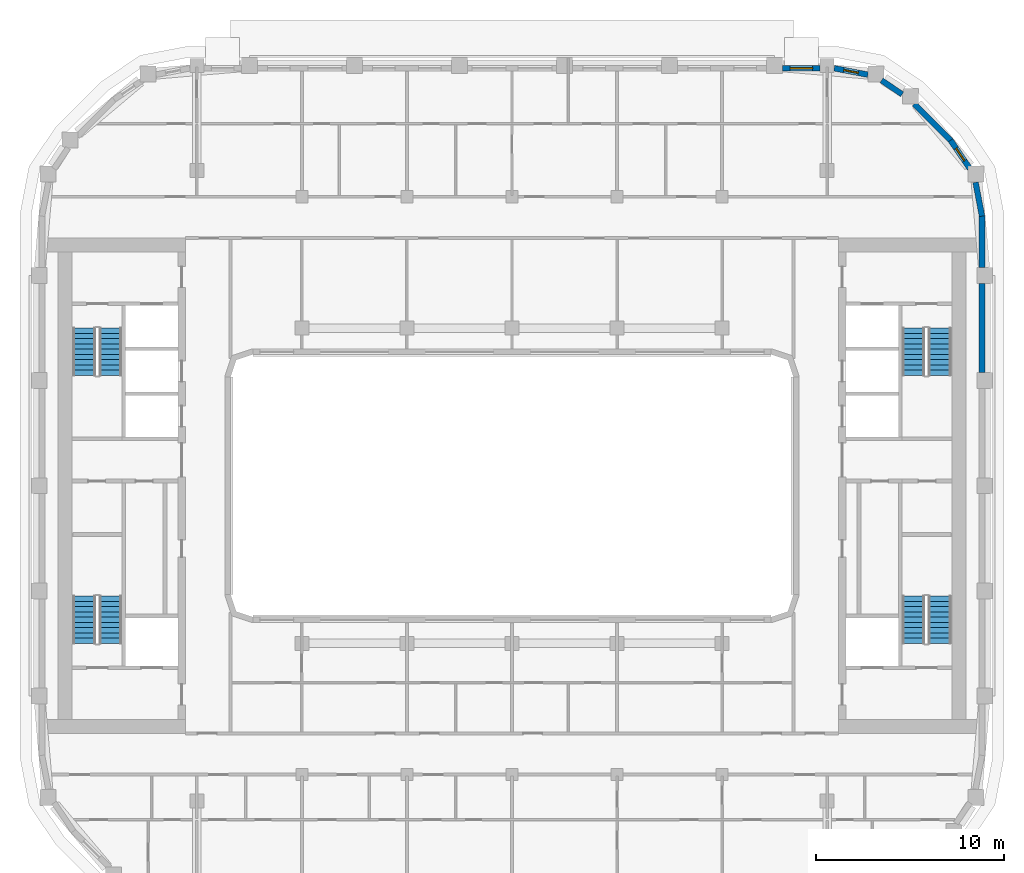
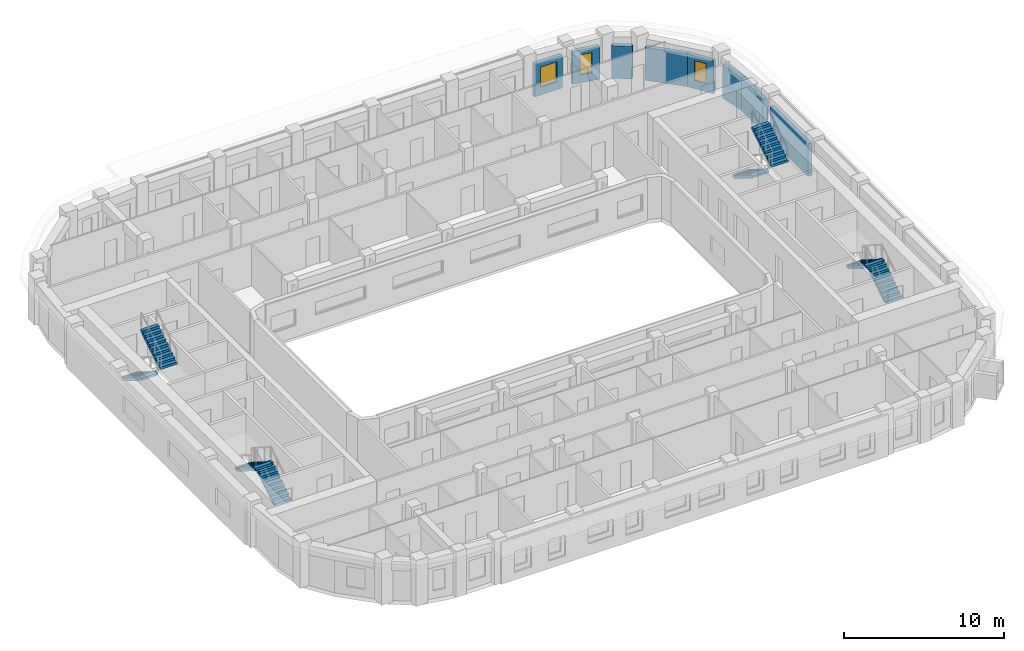
# One storey, part 9 of 21: 8 stair flights, 8 walls, 3 windows, 3 openings, 4 elements without a shape of their own.
"""IFC4 building model written with IfcOpenShell, lengths in metres."""

from ifc_helpers import new_model, si_unit, direction, frame, frame_2d, origin, place, context, subcontext, project, spatial, polyline, rectangle, outline, extrude, material, layer, layer_set, type_object, element, fill, aggregate, save


model = new_model("IFC4")

# Units and contexts
model_context = context("Model", 3, precision=1e-05, world=origin(), true_north=direction((0.0, 1.0)))
body_context = subcontext(model_context, "Body", "Model", "MODEL_VIEW")
ifc_project = project(units=[si_unit("LENGTHUNIT", "METRE"), si_unit("AREAUNIT", "SQUARE_METRE"), si_unit("VOLUMEUNIT", "CUBIC_METRE"), si_unit("PLANEANGLEUNIT", "RADIAN"), si_unit("MASSUNIT", "GRAM", prefix="KILO")], contexts=[model_context])

# Site, building, storey
site_placement = place(None, origin())
site = spatial("IfcSite", under=ifc_project, at=site_placement, CompositionType="ELEMENT")
building_placement = place(site_placement, origin())
building = spatial("IfcBuilding", under=site, at=building_placement, Name="Kiln Ring Residences", CompositionType="ELEMENT")
storey_placement = place(building_placement, frame((0.0, 0.0, 223.89990234375)))
storey = spatial("IfcBuildingStorey", under=building, at=storey_placement, Name="L58", CompositionType="ELEMENT", Elevation=223.89990234375)

# Walls
ifc_material_1 = material(Name="Brick masonry, dark clay brick", Category="masonry")
ifc_layer = layer(ifc_material_1, 0.300048828125)
ifc_layer_set = layer_set([ifc_layer], Name="EW-300 BRICK WALL")
wall_type = type_object("IfcWallType", Name="EW-300 BRICK WALL", PredefinedType="SOLIDWALL", material=ifc_layer_set)
wall_1_placement = place(storey_placement, frame((25.050048828125, 6.02490234375, 0.0), z_axis=(0.0, 0.0, 1.0), x_axis=(0.0, 1.0, 0.0)))
element("IfcWall", 1, at=wall_1_placement, inside=storey, type_object=wall_type, Name="Facade wall L58 20", PredefinedType="SOLIDWALL", context=body_context, shape_type="SweptSolid", body=[
    extrude(rectangle(XDim=4.75, YDim=0.300048828125, at=frame_2d((2.375, 0.0))), origin(), (0.0, 0.0, 1.0), 2.5),
])
wall_2_placement = place(storey_placement, frame((25.050048828125, 11.625, 0.0), z_axis=(0.0, 0.0, 1.0), x_axis=(0.0, 1.0, 0.0)))
element("IfcWall", 2, at=wall_2_placement, inside=storey, type_object=wall_type, Name="Facade wall L58 21", PredefinedType="SOLIDWALL", context=body_context, shape_type="SweptSolid", body=[
    extrude(rectangle(XDim=2.77490234375, YDim=0.300048828125, at=frame_2d((1.387451171875, 0.0))), origin(), (0.0, 0.0, 1.0), 2.5),
])
wall_3_placement = place(storey_placement, frame((25.052734375, 14.371826171875, 0.0), z_axis=(0.0, 0.0, 1.0), x_axis=(-0.187442908742, 0.982275499014, 0.0)))
element("IfcWall", 3, at=wall_3_placement, inside=storey, type_object=wall_type, Name="Facade wall L58 22", PredefinedType="SOLIDWALL", context=body_context, shape_type="SweptSolid", body=[
    extrude(rectangle(XDim=1.831298828125, YDim=0.300048828125, at=frame_2d((0.91552734375, 0.0))), origin(), (0.0, 0.0, 1.0), 2.5),
])

# Wall, opening, window
wall_4_placement = place(storey_placement, frame((24.408203125, 16.898193359375, 0.0), z_axis=(0.0, 0.0, 1.0), x_axis=(-0.562062033417, 0.827095079535, 0.0)))
wall_4 = element("IfcWall", 4, at=wall_4_placement, inside=storey, type_object=wall_type, Name="Facade wall L58 23", PredefinedType="SOLIDWALL", context=body_context, shape_type="SweptSolid", body=[
    extrude(rectangle(XDim=1.831298828125, YDim=0.300048828125, at=frame_2d((0.91552734375, 0.0))), origin(), (0.0, 0.0, 1.0), 2.5),
])
opening_1_placement = place(wall_4_placement, frame((0.515625, 0.0, 0.60009765625)))
opening_1 = element("IfcOpeningElement", 5, at=opening_1_placement, cuts=wall_4, Name="Opening W5", PredefinedType="OPENING", context=body_context, shape_type="SweptSolid", body=[
    extrude(rectangle(XDim=0.800048828125, YDim=1.550048828125, at=frame_2d((0.39990234375, 0.77490234375))), frame((0.0, 0.159912109375, 0.0), z_axis=(0.0, -1.0, 0.0), x_axis=(1.0, 0.0, 0.0)), (0.0, 0.0, 1.0), 0.320068359375),
])
ifc_material_2 = material(Name="Aluminium frame with double glazing", Category="aluminium")
window_type_1 = type_object("IfcWindowType", Name="WINDOW 800 x 1550", PartitioningType="SINGLE_PANEL", PredefinedType="WINDOW", material=ifc_material_2)
window_1_placement = place(opening_1_placement, origin())
window_1 = element("IfcWindow", 6, at=window_1_placement, inside=storey, type_object=window_type_1, Name="Window L58 18", OverallHeight=1.550048828125, OverallWidth=0.800048828125, PartitioningType="SINGLE_PANEL", PredefinedType="WINDOW", context=body_context, shape_type="SweptSolid", body=[
    extrude(rectangle(XDim=0.800048828125, YDim=1.550048828125, at=frame_2d((0.39990234375, 0.77490234375))), frame((0.0, 0.030029296875, 0.0), z_axis=(0.0, -1.0, 0.0), x_axis=(1.0, 0.0, 0.0)), (0.0, 0.0, 1.0), 0.06005859375),
])
fill(opening_1, window_1)

# Walls
wall_5_placement = place(storey_placement, frame((23.39697265625, 18.390869140625, 0.0), z_axis=(0.0, 0.0, 1.0), x_axis=(-0.707106781187, 0.707106781187, 0.0)))
element("IfcWall", 7, at=wall_5_placement, inside=storey, type_object=wall_type, Name="Facade wall L58 24", PredefinedType="SOLIDWALL", context=body_context, shape_type="SweptSolid", body=[
    extrude(rectangle(XDim=2.775146484375, YDim=0.300048828125, at=frame_2d((1.3876953125, 0.0))), origin(), (0.0, 0.0, 1.0), 2.5),
])
wall_6_placement = place(storey_placement, frame((20.7958984375, 20.862060546875, 0.0), z_axis=(0.0, 0.0, 1.0), x_axis=(-0.827035970432, 0.562149004813, 0.0)))
element("IfcWall", 8, at=wall_6_placement, inside=storey, type_object=wall_type, Name="Facade wall L58 25", PredefinedType="SOLIDWALL", context=body_context, shape_type="SweptSolid", body=[
    extrude(rectangle(XDim=1.3271484375, YDim=0.300048828125, at=frame_2d((0.66357421875, 0.0))), origin(), (0.0, 0.0, 1.0), 2.5),
])

# Wall, opening, window
wall_7_placement = place(storey_placement, frame((18.970703125, 21.90966796875, 0.0), z_axis=(0.0, 0.0, 1.0), x_axis=(-0.982300037503, 0.187314271538, 0.0)))
wall_7 = element("IfcWall", 9, at=wall_7_placement, inside=storey, type_object=wall_type, Name="Facade wall L58 26", PredefinedType="SOLIDWALL", context=body_context, shape_type="SweptSolid", body=[
    extrude(rectangle(XDim=1.831298828125, YDim=0.300048828125, at=frame_2d((0.91552734375, 0.0))), origin(), (0.0, 0.0, 1.0), 2.5),
])
opening_2_placement = place(wall_7_placement, frame((0.515625, 0.0, 0.60009765625)))
opening_2 = element("IfcOpeningElement", 10, at=opening_2_placement, cuts=wall_7, Name="Opening W5", PredefinedType="OPENING", context=body_context, shape_type="SweptSolid", body=[
    extrude(rectangle(XDim=0.800048828125, YDim=1.550048828125, at=frame_2d((0.39990234375, 0.77490234375))), frame((0.0, 0.159912109375, 0.0), z_axis=(0.0, -1.0, 0.0), x_axis=(1.0, 0.0, 0.0)), (0.0, 0.0, 1.0), 0.320068359375),
])
window_2_placement = place(opening_2_placement, origin())
window_2 = element("IfcWindow", 11, at=window_2_placement, inside=storey, type_object=window_type_1, Name="Window L58 19", OverallHeight=1.550048828125, OverallWidth=0.800048828125, PartitioningType="SINGLE_PANEL", PredefinedType="WINDOW", context=body_context, shape_type="SweptSolid", body=[
    extrude(rectangle(XDim=0.800048828125, YDim=1.550048828125, at=frame_2d((0.39990234375, 0.77490234375))), frame((0.0, 0.030029296875, 0.0), z_axis=(0.0, -1.0, 0.0), x_axis=(1.0, 0.0, 0.0)), (0.0, 0.0, 1.0), 0.06005859375),
])
fill(opening_2, window_2)

wall_8_placement = place(storey_placement, frame((16.425048828125, 22.25, 0.0), z_axis=(0.0, 0.0, 1.0), x_axis=(-1.0, 0.0, 0.0)))
wall_8 = element("IfcWall", 12, at=wall_8_placement, inside=storey, type_object=wall_type, Name="Facade wall L58 27", PredefinedType="SOLIDWALL", context=body_context, shape_type="SweptSolid", body=[
    extrude(rectangle(XDim=2.0, YDim=0.300048828125, at=frame_2d((1.0, 0.0))), origin(), (0.0, 0.0, 1.0), 2.5),
])
opening_3_placement = place(wall_8_placement, frame((0.39990234375, 0.0, 0.60009765625)))
opening_3 = element("IfcOpeningElement", 13, at=opening_3_placement, cuts=wall_8, Name="Opening W1", PredefinedType="OPENING", context=body_context, shape_type="SweptSolid", body=[
    extrude(rectangle(XDim=1.199951171875, YDim=1.550048828125, at=frame_2d((0.60009765625, 0.77490234375))), frame((0.0, 0.159912109375, 0.0), z_axis=(0.0, -1.0, 0.0), x_axis=(1.0, 0.0, 0.0)), (0.0, 0.0, 1.0), 0.320068359375),
])
ifc_material_3 = material(Name="Aluminium frame with double glazing", Category="aluminium")
window_type_2 = type_object("IfcWindowType", Name="WINDOW 1200 x 1550", PartitioningType="SINGLE_PANEL", PredefinedType="WINDOW", material=ifc_material_3)
window_3_placement = place(opening_3_placement, origin())
window_3 = element("IfcWindow", 14, at=window_3_placement, inside=storey, type_object=window_type_2, Name="Window L58 20", OverallHeight=1.550048828125, OverallWidth=1.199951171875, PartitioningType="SINGLE_PANEL", PredefinedType="WINDOW", context=body_context, shape_type="SweptSolid", body=[
    extrude(rectangle(XDim=1.199951171875, YDim=1.550048828125, at=frame_2d((0.60009765625, 0.77490234375))), frame((0.0, 0.030029296875, 0.0), z_axis=(0.0, -1.0, 0.0), x_axis=(1.0, 0.0, 0.0)), (0.0, 0.0, 1.0), 0.06005859375),
])
fill(opening_3, window_3)

# Stair, stair flights
ifc_material_4 = material(Name="Concrete C40/50", Category="concrete")
stair_type = type_object("IfcStairType", Name="CORE-STAIR", PredefinedType="HALF_TURN_STAIR", material=ifc_material_4)
placement = place(storey_placement, origin())
stair_1 = element("IfcStair", 15, at=placement, inside=storey, type_object=stair_type, Name="L58 stair W-STN", PredefinedType="HALF_TURN_STAIR")
ifc_material_5 = material(Name="Concrete C40/50", Category="concrete")
stair_flight_type = type_object("IfcStairFlightType", Name="CORE-STAIR-FLIGHT", PredefinedType="STRAIGHT", material=ifc_material_5)
stair_flight_1_placement = place(storey_placement, frame((-22.800048828125, 8.39990234375, 0.0), z_axis=(0.0, 0.0, 1.0), x_axis=(0.0, -1.0, 0.0)))
stair_flight_1 = element("IfcStairFlight", 16, at=stair_flight_1_placement, type_object=stair_flight_type, Name="W-STN flight 1", NumberOfRisers=10, NumberOfTreads=9, PredefinedType="STRAIGHT", RiserHeight=0.175, TreadLength=0.28, context=body_context, shape_type="SweptSolid", body=[
    extrude(outline(polyline([(0.0, 0.0), (0.0, 0.175048828125), (0.280029296875, 0.175048828125), (0.280029296875, 0.35009765625), (0.56005859375, 0.35009765625), (0.56005859375, 0.52490234375), (0.840087890625, 0.52490234375), (0.840087890625, 0.699951171875), (1.1201171875, 0.699951171875), (1.1201171875, 0.875), (1.39990234375, 0.875), (1.39990234375, 1.050048828125), (1.679931640625, 1.050048828125), (1.679931640625, 1.22509765625), (1.9599609375, 1.22509765625), (1.9599609375, 1.39990234375), (2.239990234375, 1.39990234375), (2.239990234375, 1.574951171875), (2.52001953125, 1.574951171875), (2.52001953125, 1.75), (2.52001953125, 1.398193359375), (0.28271484375, 0.0), (0.0, 0.0)])), frame((0.0, 0.60009765625, 0.0), z_axis=(0.0, -1.0, 0.0), x_axis=(1.0, 0.0, 0.0)), (0.0, 0.0, 1.0), 1.199951171875),
])
stair_flight_2_placement = place(storey_placement, frame((-21.39990234375, 5.8798828125, 1.75), z_axis=(0.0, 0.0, 1.0), x_axis=(0.0, 1.0, 0.0)))
stair_flight_2 = element("IfcStairFlight", 17, at=stair_flight_2_placement, type_object=stair_flight_type, Name="W-STN flight 2", NumberOfRisers=10, NumberOfTreads=9, PredefinedType="STRAIGHT", RiserHeight=0.175, TreadLength=0.28, context=body_context, shape_type="SweptSolid", body=[
    extrude(outline(polyline([(0.0, 0.0), (0.0, 0.175048828125), (0.280029296875, 0.175048828125), (0.280029296875, 0.35009765625), (0.56005859375, 0.35009765625), (0.56005859375, 0.52490234375), (0.840087890625, 0.52490234375), (0.840087890625, 0.699951171875), (1.1201171875, 0.699951171875), (1.1201171875, 0.875), (1.39990234375, 0.875), (1.39990234375, 1.050048828125), (1.679931640625, 1.050048828125), (1.679931640625, 1.22509765625), (1.9599609375, 1.22509765625), (1.9599609375, 1.39990234375), (2.239990234375, 1.39990234375), (2.239990234375, 1.574951171875), (2.52001953125, 1.574951171875), (2.52001953125, 1.75), (2.52001953125, 1.398193359375), (0.28271484375, 0.0), (0.0, 0.0)])), frame((0.0, 0.60009765625, 0.0), z_axis=(0.0, -1.0, 0.0), x_axis=(1.0, 0.0, 0.0)), (0.0, 0.0, 1.0), 1.199951171875),
])
aggregate(stair_1, [stair_flight_1, stair_flight_2])

stair_2 = element("IfcStair", 18, at=placement, inside=storey, type_object=stair_type, Name="L58 stair W-STS", PredefinedType="HALF_TURN_STAIR")
stair_flight_3_placement = place(storey_placement, frame((-21.39990234375, -8.39990234375, 0.0), z_axis=(0.0, 0.0, 1.0), x_axis=(0.0, 1.0, 0.0)))
stair_flight_3 = element("IfcStairFlight", 19, at=stair_flight_3_placement, type_object=stair_flight_type, Name="W-STS flight 1", NumberOfRisers=10, NumberOfTreads=9, PredefinedType="STRAIGHT", RiserHeight=0.175, TreadLength=0.28, context=body_context, shape_type="SweptSolid", body=[
    extrude(outline(polyline([(0.0, 0.0), (0.0, 0.175048828125), (0.280029296875, 0.175048828125), (0.280029296875, 0.35009765625), (0.56005859375, 0.35009765625), (0.56005859375, 0.52490234375), (0.840087890625, 0.52490234375), (0.840087890625, 0.699951171875), (1.1201171875, 0.699951171875), (1.1201171875, 0.875), (1.39990234375, 0.875), (1.39990234375, 1.050048828125), (1.679931640625, 1.050048828125), (1.679931640625, 1.22509765625), (1.9599609375, 1.22509765625), (1.9599609375, 1.39990234375), (2.239990234375, 1.39990234375), (2.239990234375, 1.574951171875), (2.52001953125, 1.574951171875), (2.52001953125, 1.75), (2.52001953125, 1.398193359375), (0.28271484375, 0.0), (0.0, 0.0)])), frame((0.0, 0.60009765625, 0.0), z_axis=(0.0, -1.0, 0.0), x_axis=(1.0, 0.0, 0.0)), (0.0, 0.0, 1.0), 1.199951171875),
])
stair_flight_4_placement = place(storey_placement, frame((-22.800048828125, -5.8798828125, 1.75), z_axis=(0.0, 0.0, 1.0), x_axis=(0.0, -1.0, 0.0)))
stair_flight_4 = element("IfcStairFlight", 20, at=stair_flight_4_placement, type_object=stair_flight_type, Name="W-STS flight 2", NumberOfRisers=10, NumberOfTreads=9, PredefinedType="STRAIGHT", RiserHeight=0.175, TreadLength=0.28, context=body_context, shape_type="SweptSolid", body=[
    extrude(outline(polyline([(0.0, 0.0), (0.0, 0.175048828125), (0.280029296875, 0.175048828125), (0.280029296875, 0.35009765625), (0.56005859375, 0.35009765625), (0.56005859375, 0.52490234375), (0.840087890625, 0.52490234375), (0.840087890625, 0.699951171875), (1.1201171875, 0.699951171875), (1.1201171875, 0.875), (1.39990234375, 0.875), (1.39990234375, 1.050048828125), (1.679931640625, 1.050048828125), (1.679931640625, 1.22509765625), (1.9599609375, 1.22509765625), (1.9599609375, 1.39990234375), (2.239990234375, 1.39990234375), (2.239990234375, 1.574951171875), (2.52001953125, 1.574951171875), (2.52001953125, 1.75), (2.52001953125, 1.398193359375), (0.28271484375, 0.0), (0.0, 0.0)])), frame((0.0, 0.60009765625, 0.0), z_axis=(0.0, -1.0, 0.0), x_axis=(1.0, 0.0, 0.0)), (0.0, 0.0, 1.0), 1.199951171875),
])
aggregate(stair_2, [stair_flight_3, stair_flight_4])

stair_3 = element("IfcStair", 21, at=placement, inside=storey, type_object=stair_type, Name="L58 stair E-STN", PredefinedType="HALF_TURN_STAIR")
stair_flight_5_placement = place(storey_placement, frame((21.39990234375, 8.39990234375, 0.0), z_axis=(0.0, 0.0, 1.0), x_axis=(0.0, -1.0, 0.0)))
stair_flight_5 = element("IfcStairFlight", 22, at=stair_flight_5_placement, type_object=stair_flight_type, Name="E-STN flight 1", NumberOfRisers=10, NumberOfTreads=9, PredefinedType="STRAIGHT", RiserHeight=0.175, TreadLength=0.28, context=body_context, shape_type="SweptSolid", body=[
    extrude(outline(polyline([(0.0, 0.0), (0.0, 0.175048828125), (0.280029296875, 0.175048828125), (0.280029296875, 0.35009765625), (0.56005859375, 0.35009765625), (0.56005859375, 0.52490234375), (0.840087890625, 0.52490234375), (0.840087890625, 0.699951171875), (1.1201171875, 0.699951171875), (1.1201171875, 0.875), (1.39990234375, 0.875), (1.39990234375, 1.050048828125), (1.679931640625, 1.050048828125), (1.679931640625, 1.22509765625), (1.9599609375, 1.22509765625), (1.9599609375, 1.39990234375), (2.239990234375, 1.39990234375), (2.239990234375, 1.574951171875), (2.52001953125, 1.574951171875), (2.52001953125, 1.75), (2.52001953125, 1.398193359375), (0.28271484375, 0.0), (0.0, 0.0)])), frame((0.0, 0.60009765625, 0.0), z_axis=(0.0, -1.0, 0.0), x_axis=(1.0, 0.0, 0.0)), (0.0, 0.0, 1.0), 1.199951171875),
])
stair_flight_6_placement = place(storey_placement, frame((22.800048828125, 5.8798828125, 1.75), z_axis=(0.0, 0.0, 1.0), x_axis=(0.0, 1.0, 0.0)))
stair_flight_6 = element("IfcStairFlight", 23, at=stair_flight_6_placement, type_object=stair_flight_type, Name="E-STN flight 2", NumberOfRisers=10, NumberOfTreads=9, PredefinedType="STRAIGHT", RiserHeight=0.175, TreadLength=0.28, context=body_context, shape_type="SweptSolid", body=[
    extrude(outline(polyline([(0.0, 0.0), (0.0, 0.175048828125), (0.280029296875, 0.175048828125), (0.280029296875, 0.35009765625), (0.56005859375, 0.35009765625), (0.56005859375, 0.52490234375), (0.840087890625, 0.52490234375), (0.840087890625, 0.699951171875), (1.1201171875, 0.699951171875), (1.1201171875, 0.875), (1.39990234375, 0.875), (1.39990234375, 1.050048828125), (1.679931640625, 1.050048828125), (1.679931640625, 1.22509765625), (1.9599609375, 1.22509765625), (1.9599609375, 1.39990234375), (2.239990234375, 1.39990234375), (2.239990234375, 1.574951171875), (2.52001953125, 1.574951171875), (2.52001953125, 1.75), (2.52001953125, 1.398193359375), (0.28271484375, 0.0), (0.0, 0.0)])), frame((0.0, 0.60009765625, 0.0), z_axis=(0.0, -1.0, 0.0), x_axis=(1.0, 0.0, 0.0)), (0.0, 0.0, 1.0), 1.199951171875),
])
aggregate(stair_3, [stair_flight_5, stair_flight_6])

stair_4 = element("IfcStair", 24, at=placement, inside=storey, type_object=stair_type, Name="L58 stair E-STS", PredefinedType="HALF_TURN_STAIR")
stair_flight_7_placement = place(storey_placement, frame((22.800048828125, -8.39990234375, 0.0), z_axis=(0.0, 0.0, 1.0), x_axis=(0.0, 1.0, 0.0)))
stair_flight_7 = element("IfcStairFlight", 25, at=stair_flight_7_placement, type_object=stair_flight_type, Name="E-STS flight 1", NumberOfRisers=10, NumberOfTreads=9, PredefinedType="STRAIGHT", RiserHeight=0.175, TreadLength=0.28, context=body_context, shape_type="SweptSolid", body=[
    extrude(outline(polyline([(0.0, 0.0), (0.0, 0.175048828125), (0.280029296875, 0.175048828125), (0.280029296875, 0.35009765625), (0.56005859375, 0.35009765625), (0.56005859375, 0.52490234375), (0.840087890625, 0.52490234375), (0.840087890625, 0.699951171875), (1.1201171875, 0.699951171875), (1.1201171875, 0.875), (1.39990234375, 0.875), (1.39990234375, 1.050048828125), (1.679931640625, 1.050048828125), (1.679931640625, 1.22509765625), (1.9599609375, 1.22509765625), (1.9599609375, 1.39990234375), (2.239990234375, 1.39990234375), (2.239990234375, 1.574951171875), (2.52001953125, 1.574951171875), (2.52001953125, 1.75), (2.52001953125, 1.398193359375), (0.28271484375, 0.0), (0.0, 0.0)])), frame((0.0, 0.60009765625, 0.0), z_axis=(0.0, -1.0, 0.0), x_axis=(1.0, 0.0, 0.0)), (0.0, 0.0, 1.0), 1.199951171875),
])
stair_flight_8_placement = place(storey_placement, frame((21.39990234375, -5.8798828125, 1.75), z_axis=(0.0, 0.0, 1.0), x_axis=(0.0, -1.0, 0.0)))
stair_flight_8 = element("IfcStairFlight", 26, at=stair_flight_8_placement, type_object=stair_flight_type, Name="E-STS flight 2", NumberOfRisers=10, NumberOfTreads=9, PredefinedType="STRAIGHT", RiserHeight=0.175, TreadLength=0.28, context=body_context, shape_type="SweptSolid", body=[
    extrude(outline(polyline([(0.0, 0.0), (0.0, 0.175048828125), (0.280029296875, 0.175048828125), (0.280029296875, 0.35009765625), (0.56005859375, 0.35009765625), (0.56005859375, 0.52490234375), (0.840087890625, 0.52490234375), (0.840087890625, 0.699951171875), (1.1201171875, 0.699951171875), (1.1201171875, 0.875), (1.39990234375, 0.875), (1.39990234375, 1.050048828125), (1.679931640625, 1.050048828125), (1.679931640625, 1.22509765625), (1.9599609375, 1.22509765625), (1.9599609375, 1.39990234375), (2.239990234375, 1.39990234375), (2.239990234375, 1.574951171875), (2.52001953125, 1.574951171875), (2.52001953125, 1.75), (2.52001953125, 1.398193359375), (0.28271484375, 0.0), (0.0, 0.0)])), frame((0.0, 0.60009765625, 0.0), z_axis=(0.0, -1.0, 0.0), x_axis=(1.0, 0.0, 0.0)), (0.0, 0.0, 1.0), 1.199951171875),
])
aggregate(stair_4, [stair_flight_7, stair_flight_8])

save(model, "model.ifc")
